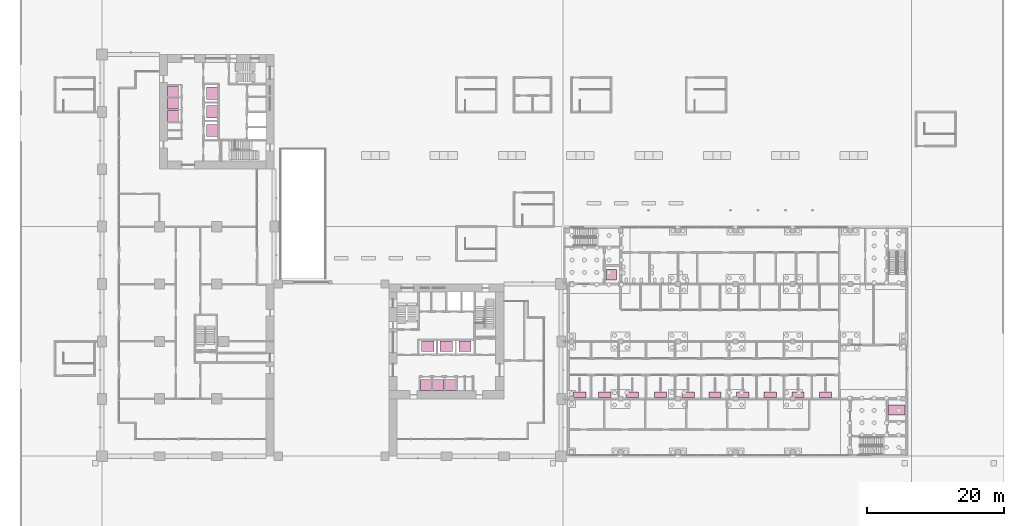
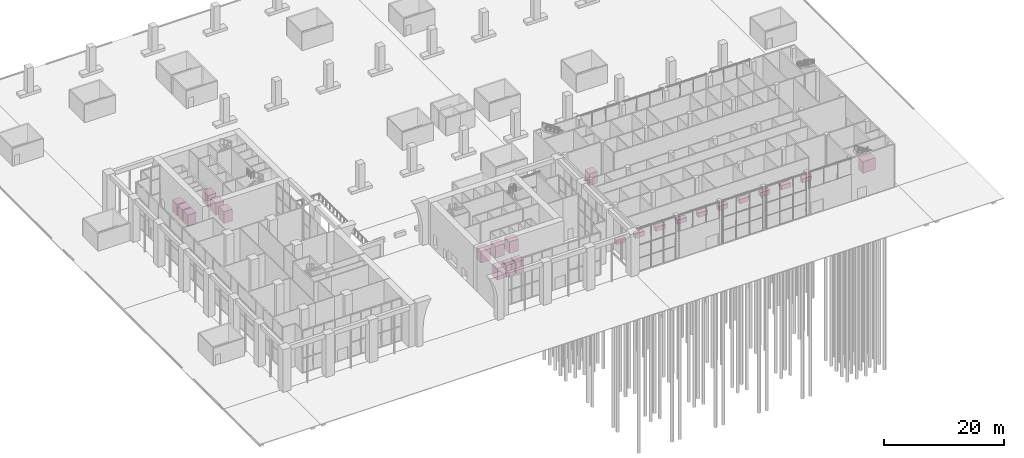
# One storey, part 44 of 46: 14 transport elements, 10 furniture elements.
"""IFC4 building model written with IfcOpenShell, lengths in metres."""

from ifc_helpers import new_model, si_unit, direction, frame, origin, origin_2d, place, context, subcontext, project, spatial, rectangle, extrude, material, type_object, element, save


model = new_model("IFC4")

# Units and contexts
model_context = context("Model", 3, precision=1e-05, world=origin(), true_north=direction((0.0, 1.0)))
body_context = subcontext(model_context, "Body", "Model", "MODEL_VIEW")
ifc_project = project(units=[si_unit("LENGTHUNIT", "METRE"), si_unit("AREAUNIT", "SQUARE_METRE"), si_unit("VOLUMEUNIT", "CUBIC_METRE"), si_unit("PLANEANGLEUNIT", "RADIAN"), si_unit("MASSUNIT", "GRAM", prefix="KILO")], contexts=[model_context])

# Site, building, storey
site_placement = place(None, origin())
site = spatial("IfcSite", under=ifc_project, at=site_placement, CompositionType="ELEMENT")
building_placement = place(site_placement, origin())
building = spatial("IfcBuilding", under=site, at=building_placement, Name="Vermilion Gate Residences", CompositionType="ELEMENT")
storey_placement = place(building_placement, origin())
storey = spatial("IfcBuildingStorey", under=building, at=storey_placement, Name="L00", CompositionType="ELEMENT", Elevation=0.0)

# Transport elements
ifc_material_1 = material(Name="Stainless steel", Category="steel")
transport_element_type_1 = type_object("IfcTransportElementType", Name="FREIGHT LIFT 2000 KG (MARKET HALL)", PredefinedType="ELEVATOR", material=ifc_material_1)
transport_element_1_placement = place(storey_placement, frame((116.324951171875, 6.75, 0.0), z_axis=(0.0, 0.0, 1.0), x_axis=(1.0, 0.0, 0.0)))
element("IfcTransportElement", 1, at=transport_element_1_placement, inside=storey, type_object=transport_element_type_1, Name="Freight lift LH2", PredefinedType="ELEVATOR", context=body_context, shape_type="SweptSolid", body=[
    extrude(rectangle(XDim=2.39990234375, YDim=1.5, at=origin_2d()), origin(), (0.0, 0.0, 1.0), 2.39990234375),
])
ifc_material_2 = material(Name="Stainless steel", Category="steel")
transport_element_type_2 = type_object("IfcTransportElementType", Name="HIGH-RISE PASSENGER LIFT 1350 KG", PredefinedType="ELEVATOR", material=ifc_material_2)
for number, where, z_axis, x_axis, name in (
    (2, (47.666748046875, 16.10009765625, 0.0), (0.0, 0.0, 1.0), (1.0, 0.0, 0.0), "Passenger lift LHA1 (high-rise bank, 360 m/min)"),
    (3, (50.39990234375, 16.10009765625, 0.0), (0.0, 0.0, 1.0), (1.0, 0.0, 0.0), "Passenger lift LHA2 (high-rise bank, 360 m/min)"),
    (4, (53.13330078125, 16.10009765625, 0.0), (0.0, 0.0, 1.0), (1.0, 0.0, 0.0), "Passenger lift LHA3 (high-rise bank, 360 m/min)"),
):
    element("IfcTransportElement", number, at=place(storey_placement, frame(where, z_axis=z_axis, x_axis=x_axis)), inside=storey, type_object=transport_element_type_2, Name=name, PredefinedType="ELEVATOR", context=body_context, shape_type="SweptSolid", body=[
        extrude(rectangle(XDim=1.800048828125, YDim=1.60009765625, at=origin_2d()), origin(), (0.0, 0.0, 1.0), 2.39990234375),
    ])
for number, where, z_axis, x_axis, name in (
    (5, (16.10009765625, 53.13330078125, 0.0), (0.0, 0.0, 1.0), (1.0, 0.0, 0.0), "Passenger lift LHB1 (high-rise bank, 360 m/min)"),
    (6, (16.10009765625, 50.39990234375, 0.0), (0.0, 0.0, 1.0), (1.0, 0.0, 0.0), "Passenger lift LHB2 (high-rise bank, 360 m/min)"),
    (7, (16.10009765625, 47.666748046875, 0.0), (0.0, 0.0, 1.0), (1.0, 0.0, 0.0), "Passenger lift LHB3 (high-rise bank, 360 m/min)"),
):
    element("IfcTransportElement", number, at=place(storey_placement, frame(where, z_axis=z_axis, x_axis=x_axis)), inside=storey, type_object=transport_element_type_2, Name=name, PredefinedType="ELEVATOR", context=body_context, shape_type="SweptSolid", body=[
        extrude(rectangle(XDim=1.60009765625, YDim=1.800048828125, at=origin_2d()), origin(), (0.0, 0.0, 1.0), 2.39990234375),
    ])
ifc_material_3 = material(Name="Stainless steel", Category="steel")
transport_element_type_3 = type_object("IfcTransportElementType", Name="LOW-RISE PASSENGER LIFT 1000 KG", PredefinedType="ELEVATOR", material=ifc_material_3)
for number, where, z_axis, x_axis, name in (
    (8, (47.39990234375, 10.39990234375, 0.0), (0.0, 0.0, 1.0), (1.0, 0.0, 0.0), "Passenger lift LRA1 (low-rise bank, 180 m/min)"),
    (9, (49.199951171875, 10.39990234375, 0.0), (0.0, 0.0, 1.0), (1.0, 0.0, 0.0), "Passenger lift LRA2 (low-rise bank, 180 m/min)"),
    (10, (51.0, 10.39990234375, 0.0), (0.0, 0.0, 1.0), (1.0, 0.0, 0.0), "Passenger lift LRA3 (low-rise bank, 180 m/min)"),
    (11, (10.39990234375, 53.39990234375, 0.0), (0.0, 0.0, 1.0), (1.0, 0.0, 0.0), "Passenger lift LRB1 (low-rise bank, 180 m/min)"),
    (12, (10.39990234375, 51.60009765625, 0.0), (0.0, 0.0, 1.0), (1.0, 0.0, 0.0), "Passenger lift LRB2 (low-rise bank, 180 m/min)"),
    (13, (10.39990234375, 49.800048828125, 0.0), (0.0, 0.0, 1.0), (1.0, 0.0, 0.0), "Passenger lift LRB3 (low-rise bank, 180 m/min)"),
):
    element("IfcTransportElement", number, at=place(storey_placement, frame(where, z_axis=z_axis, x_axis=x_axis)), inside=storey, type_object=transport_element_type_3, Name=name, PredefinedType="ELEVATOR", context=body_context, shape_type="SweptSolid", body=[
        extrude(rectangle(XDim=1.60009765625, YDim=1.60009765625, at=origin_2d()), origin(), (0.0, 0.0, 1.0), 2.39990234375),
    ])
ifc_material_4 = material(Name="Stainless steel", Category="steel")
transport_element_type_4 = type_object("IfcTransportElementType", Name="PASSENGER LIFT 1000 KG (MARKET HALL)", PredefinedType="ELEVATOR", material=ifc_material_4)
transport_element_2_placement = place(storey_placement, frame((74.52490234375, 26.550048828125, 0.0), z_axis=(0.0, 0.0, 1.0), x_axis=(1.0, 0.0, 0.0)))
element("IfcTransportElement", 14, at=transport_element_2_placement, inside=storey, type_object=transport_element_type_4, Name="Passenger lift LH1", PredefinedType="ELEVATOR", context=body_context, shape_type="SweptSolid", body=[
    extrude(rectangle(XDim=1.60009765625, YDim=1.5, at=origin_2d()), origin(), (0.0, 0.0, 1.0), 2.39990234375),
])

# Furniture
for number, where, z_axis, x_axis, name in (
    (15, (69.89501953125, 9.0, 0.0), (0.0, 0.0, 1.0), (1.0, 0.0, 0.0), "Chiller display Fish stall 1"),
    (16, (73.56005859375, 9.0, 0.0), (0.0, 0.0, 1.0), (1.0, 0.0, 0.0), "Chiller display Fish stall 2"),
    (17, (77.60009765625, 9.0, 0.0), (0.0, 0.0, 1.0), (1.0, 0.0, 0.0), "Chiller display Butcher stall 3"),
    (18, (81.735107421875, 9.0, 0.0), (0.0, 0.0, 1.0), (1.0, 0.0, 0.0), "Chiller display Fish stall 4"),
    (19, (85.77490234375, 9.0, 0.0), (0.0, 0.0, 1.0), (1.0, 0.0, 0.0), "Chiller display Butcher stall 5"),
    (20, (89.719970703125, 9.0, 0.0), (0.0, 0.0, 1.0), (1.0, 0.0, 0.0), "Chiller display Fish stall 6"),
    (21, (93.760009765625, 9.0, 0.0), (0.0, 0.0, 1.0), (1.0, 0.0, 0.0), "Chiller display Fish stall 7"),
    (22, (97.800048828125, 9.0, 0.0), (0.0, 0.0, 1.0), (1.0, 0.0, 0.0), "Chiller display Butcher stall 8"),
    (23, (101.840087890625, 9.0, 0.0), (0.0, 0.0, 1.0), (1.0, 0.0, 0.0), "Chiller display Seafood stall 9"),
    (24, (105.8798828125, 9.0, 0.0), (0.0, 0.0, 1.0), (1.0, 0.0, 0.0), "Chiller display Seafood stall 10"),
):
    element("IfcFurniture", number, at=place(storey_placement, frame(where, z_axis=z_axis, x_axis=x_axis)), inside=storey, material=ifc_material_4, Name=name, ObjectType="CHILLER", PredefinedType="USERDEFINED", context=body_context, shape_type="SweptSolid", body=[
        extrude(rectangle(XDim=1.800048828125, YDim=0.800048828125, at=origin_2d()), origin(), (0.0, 0.0, 1.0), 0.89990234375),
    ])

save(model, "model.ifc")
